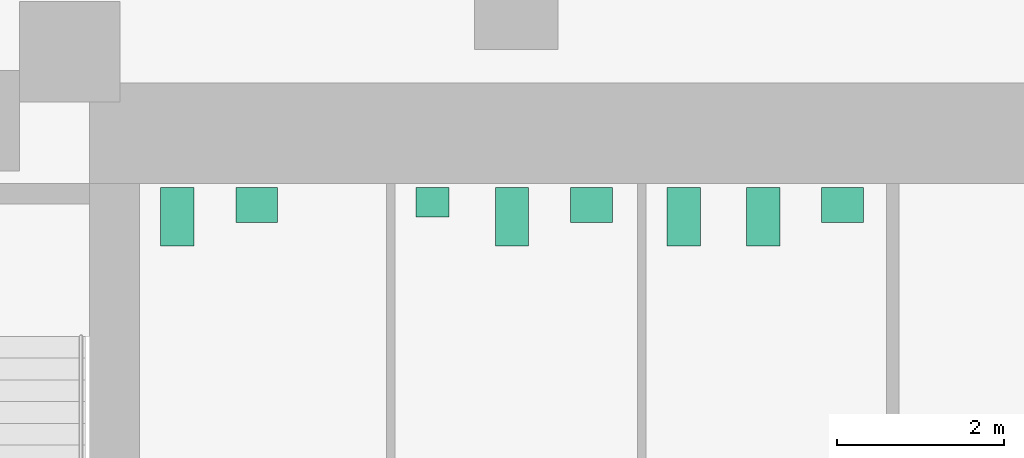
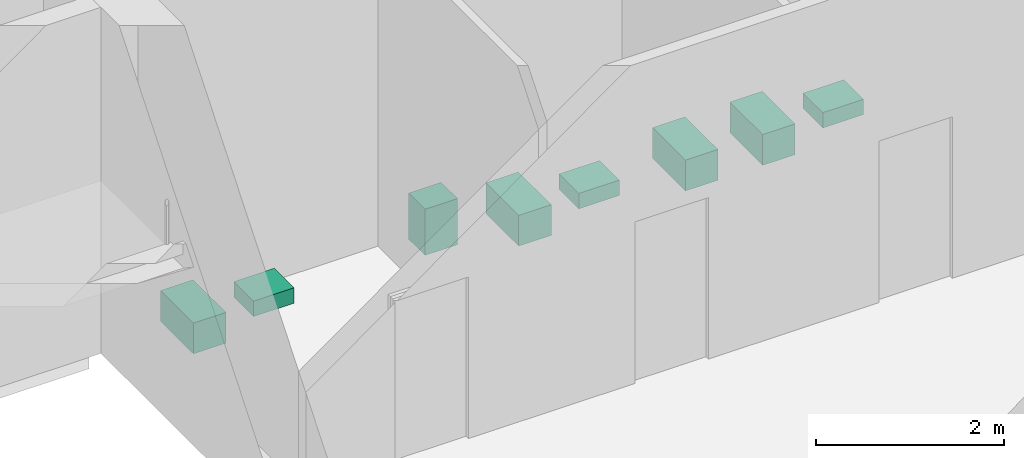
# One storey, part 16 of 16: 8 sanitary terminals.
"""IFC4 building model written with IfcOpenShell, lengths in metres."""

from ifc_helpers import new_model, si_unit, direction, frame, origin, origin_2d, place, context, subcontext, project, spatial, rectangle, extrude, material, type_object, element, save


model = new_model("IFC4")

# Units and contexts
model_context = context("Model", 3, precision=1e-05, world=origin(), true_north=direction((0.0, 1.0)))
body_context = subcontext(model_context, "Body", "Model", "MODEL_VIEW")
ifc_project = project(units=[si_unit("LENGTHUNIT", "METRE"), si_unit("AREAUNIT", "SQUARE_METRE"), si_unit("VOLUMEUNIT", "CUBIC_METRE"), si_unit("PLANEANGLEUNIT", "RADIAN"), si_unit("MASSUNIT", "GRAM", prefix="KILO")], contexts=[model_context])

# Site, building, storey
site_placement = place(None, origin())
site = spatial("IfcSite", under=ifc_project, at=site_placement, CompositionType="ELEMENT")
building_placement = place(site_placement, origin())
building = spatial("IfcBuilding", under=site, at=building_placement, Name="Cinnabar Reach Civic Tower", CompositionType="ELEMENT")
storey_placement = place(building_placement, frame((0.0, 0.0, -9.5)))
storey = spatial("IfcBuildingStorey", under=building, at=storey_placement, Name="B2", CompositionType="ELEMENT", Elevation=-9.5)

# Sanitary terminals
ifc_material = material(Name="Vitreous china")
sanitary_terminal_type_1 = type_object("IfcSanitaryTerminalType", Name="T1 WC pan", PredefinedType="TOILETPAN", material=ifc_material)
for number, where, z_axis, x_axis, name in (
    (1, (4.95, 41.6, 0.0), (0.0, 0.0, 1.0), (1.0, 0.0, 0.0), "T1 WC pan B211-1"),
    (2, (8.95, 41.6, 0.0), (0.0, 0.0, 1.0), (1.0, 0.0, 0.0), "T1 WC pan B212-2"),
    (3, (11.0, 41.6, 0.0), (0.0, 0.0, 1.0), (1.0, 0.0, 0.0), "T1 WC pan B213-1"),
    (4, (11.95, 41.6, 0.0), (0.0, 0.0, 1.0), (1.0, 0.0, 0.0), "T1 WC pan B213-2"),
):
    element("IfcSanitaryTerminal", number, at=place(storey_placement, frame(where, z_axis=z_axis, x_axis=x_axis)), inside=storey, type_object=sanitary_terminal_type_1, Name=name, PredefinedType="TOILETPAN", context=body_context, shape_type="SweptSolid", body=[
        extrude(rectangle(XDim=0.4, YDim=0.7, at=origin_2d()), origin(), (0.0, 0.0, 1.0), 0.4),
    ])
sanitary_terminal_type_2 = type_object("IfcSanitaryTerminalType", Name="T1 urinal", PredefinedType="URINAL", material=ifc_material)
sanitary_terminal_placement = place(storey_placement, frame((8.0, 41.775, 0.0), z_axis=(0.0, 0.0, 1.0), x_axis=(1.0, 0.0, 0.0)))
element("IfcSanitaryTerminal", 5, at=sanitary_terminal_placement, inside=storey, type_object=sanitary_terminal_type_2, Name="T1 urinal B212-1", PredefinedType="URINAL", context=body_context, shape_type="SweptSolid", body=[
    extrude(rectangle(XDim=0.4, YDim=0.35, at=origin_2d()), origin(), (0.0, 0.0, 1.0), 0.6),
])
sanitary_terminal_type_3 = type_object("IfcSanitaryTerminalType", Name="T1 wash basin", PredefinedType="WASHHANDBASIN", material=ifc_material)
for number, where, z_axis, x_axis, name in (
    (6, (5.9, 41.74, 0.0), (0.0, 0.0, 1.0), (1.0, 0.0, 0.0), "T1 wash basin B211-2"),
    (7, (9.9, 41.74, 0.0), (0.0, 0.0, 1.0), (1.0, 0.0, 0.0), "T1 wash basin B212-3"),
    (8, (12.9, 41.74, 0.0), (0.0, 0.0, 1.0), (1.0, 0.0, 0.0), "T1 wash basin B213-3"),
):
    element("IfcSanitaryTerminal", number, at=place(storey_placement, frame(where, z_axis=z_axis, x_axis=x_axis)), inside=storey, type_object=sanitary_terminal_type_3, Name=name, PredefinedType="WASHHANDBASIN", context=body_context, shape_type="SweptSolid", body=[
        extrude(rectangle(XDim=0.5, YDim=0.42, at=origin_2d()), origin(), (0.0, 0.0, 1.0), 0.2),
    ])

save(model, "model.ifc")
